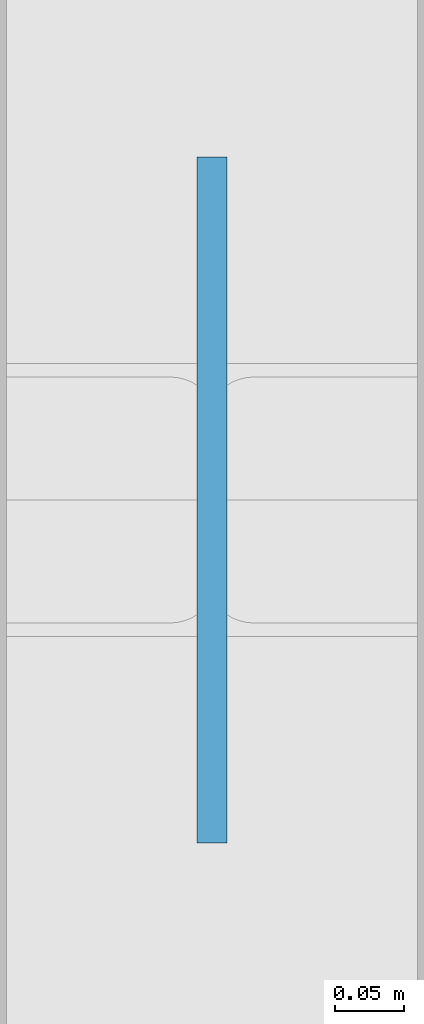
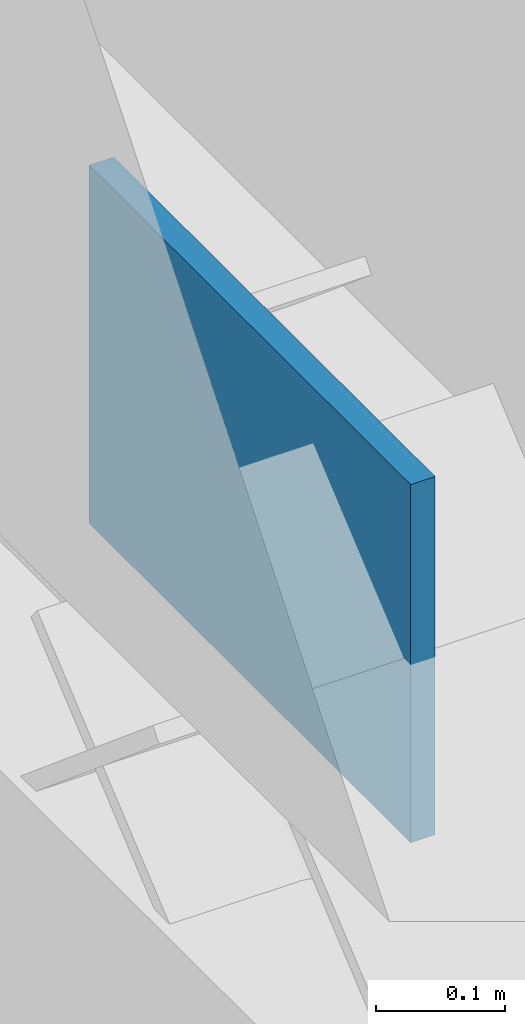
# One storey, part 89 of 124: 1 plate.
"""IFC4 building model written with IfcOpenShell, lengths in metres."""

import ifcopenshell
import ifcopenshell.guid

model = None  # the IFC model being written
_history = None  # IfcOwnerHistory: only IFC2X3 demands one
_inside = {}  # id of a spatial element -> (the spatial element, [elements in it])
_under = {}  # id of a project, library or spatial element -> (it, [spatial elements below it])
_declared = {}  # id of a project -> (the project, [libraries it declares])
_typed = {}  # id of a type object -> (the type object, [elements of that type])
_made_of = {}  # id of a material, layer set ... -> (it, [elements and type objects made of it])


def new_model(schema):
    """Start an empty IFC model of exactly this schema.

    Asked for "IFC4X3", IfcOpenShell would pick the latest addendum, in which some entities
    have other attributes; the version numbers below select the first issue.
    IFC2X3 requires an IfcOwnerHistory on every rooted entity: one is made here for all.
    """
    global model, _history
    if schema == "IFC4X3":
        model = ifcopenshell.file(schema_version=(4, 3, 0, 0))
    else:
        model = ifcopenshell.file(schema=schema)
    _inside.clear()
    _under.clear()
    _declared.clear()
    _typed.clear()
    _made_of.clear()
    _history = None
    if model.schema == "IFC2X3":
        org = make("IfcOrganization", Name="unknown")
        user = make(
            "IfcPersonAndOrganization",
            ThePerson=make("IfcPerson", FamilyName="unknown"),
            TheOrganization=org,
        )
        app = make(
            "IfcApplication",
            ApplicationDeveloper=org,
            Version="unknown",
            ApplicationFullName="unknown",
            ApplicationIdentifier="unknown",
        )
        _history = make(
            "IfcOwnerHistory",
            OwningUser=user,
            OwningApplication=app,
            ChangeAction="ADDED",
            CreationDate=0,
        )
    return model


def make(cls, **values):
    """One entity of the class cls with the attributes given. An attribute that is None is left unset."""
    return model.create_entity(
        cls, **{name: value for name, value in values.items() if value is not None}
    )


def rooted(cls, **values):
    """An entity with a GlobalId (a new one), such as an element, a storey or a relation."""
    return make(cls, GlobalId=ifcopenshell.guid.new(), OwnerHistory=_history, **values)


def si_unit(unit_type, name, prefix=None):
    """IfcSIUnit, for example si_unit("LENGTHUNIT", "METRE", prefix="MILLI")."""
    return make("IfcSIUnit", UnitType=unit_type, Prefix=prefix, Name=name)


def assignment(units):
    """IfcUnitAssignment: the units of a project."""
    return None if units is None else make("IfcUnitAssignment", Units=units)


def point(xyz):
    """IfcCartesianPoint."""
    return None if xyz is None else make("IfcCartesianPoint", Coordinates=xyz)


def direction(xyz):
    """IfcDirection."""
    return None if xyz is None else make("IfcDirection", DirectionRatios=xyz)


def frame(location, z_axis=None, x_axis=None):
    """IfcAxis2Placement3D, a coordinate frame: its origin and axes. An axis left out is left unset."""
    return make(
        "IfcAxis2Placement3D",
        Location=point(location),
        Axis=direction(z_axis),
        RefDirection=direction(x_axis),
    )


def frame_2d(location, x_axis=None):
    """IfcAxis2Placement2D, a coordinate frame in the plane: its origin and x axis."""
    return make(
        "IfcAxis2Placement2D", Location=point(location), RefDirection=direction(x_axis)
    )


def origin():
    """The frame at (0, 0, 0) with its axes left unset."""
    return frame((0.0, 0.0, 0.0))


def origin_2d():
    """The frame at (0, 0) in the plane with its x axis left unset."""
    return frame_2d((0.0, 0.0))


def place(relative_to, where):
    """IfcLocalPlacement: puts the frame where relative to a parent placement (None: the world)."""
    return make(
        "IfcLocalPlacement", PlacementRelTo=relative_to, RelativePlacement=where
    )


def context(
    kind, dimensions, precision=None, world=None, true_north=None, identifier=None
):
    """IfcGeometricRepresentationContext, for example the 3D "Model" context."""
    return make(
        "IfcGeometricRepresentationContext",
        ContextIdentifier=identifier,
        ContextType=kind,
        CoordinateSpaceDimension=dimensions,
        Precision=precision,
        WorldCoordinateSystem=world,
        TrueNorth=true_north,
    )


def subcontext(parent, identifier, kind, view, scale=None):
    """IfcGeometricRepresentationSubContext, for example "Body" below "Model"."""
    return make(
        "IfcGeometricRepresentationSubContext",
        ContextIdentifier=identifier,
        ContextType=kind,
        ParentContext=parent,
        TargetScale=scale,
        TargetView=view,
    )


def project(units=None, contexts=None):
    """IfcProject with its units and contexts."""
    return rooted(
        "IfcProject",
        Name="project",
        RepresentationContexts=contexts,
        UnitsInContext=assignment(units),
    )


def spatial(cls, under=None, at=None, **own):
    """A site, building, storey or space (cls), placed at a placement, below another one or the project."""
    s = rooted(cls, ObjectPlacement=at, **own)
    if under is not None:
        _under.setdefault(under.id(), (under, []))[1].append(s)
    return s


def profile(cls, at=None, kind="AREA", **sizes):
    """A parametric profile (cls). Its sizes go by their IFC names, for example OverallWidth=200.0."""
    return make(cls, ProfileType=kind, Position=at, **sizes)


def rectangle(**sizes):
    """IfcRectangleProfileDef."""
    return profile("IfcRectangleProfileDef", **sizes)


def extrude(swept, where, along, depth):
    """IfcExtrudedAreaSolid: the profile swept, set in the frame where, extruded along a direction by depth."""
    return make(
        "IfcExtrudedAreaSolid",
        SweptArea=swept,
        Position=where,
        ExtrudedDirection=direction(along),
        Depth=depth,
    )


def shape(context_of_items, identifier, shape_type, items):
    """IfcShapeRepresentation: the items that make up one representation, for example the "Body"."""
    return make(
        "IfcShapeRepresentation",
        ContextOfItems=context_of_items,
        RepresentationIdentifier=identifier,
        RepresentationType=shape_type,
        Items=items,
    )


def material(Name=None, Category=None):
    """IfcMaterial."""
    return make("IfcMaterial", Name=Name, Category=Category)


def layer(
    of_material, thickness, ventilated=None, Name=None, Category=None, Priority=None
):
    """IfcMaterialLayer: one layer of a wall or slab, of a material (None: an air gap)."""
    return make(
        "IfcMaterialLayer",
        Material=of_material,
        LayerThickness=thickness,
        IsVentilated=ventilated,
        Name=Name,
        Category=Category,
        Priority=Priority,
    )


def layer_set(layers, Name=None):
    """IfcMaterialLayerSet."""
    return make("IfcMaterialLayerSet", MaterialLayers=layers, LayerSetName=Name)


def made_of(thing, what):
    """Note that an element or type object is made of a material, layer set ...; save() writes the relation."""
    if what is not None:
        _made_of.setdefault(what.id(), (what, []))[1].append(thing)
    return thing


def type_object(cls, material=None, **own):
    """A type object (cls), such as IfcWallType, which elements share."""
    return made_of(rooted(cls, **own), material)


def element(
    cls,
    number,
    at=None,
    inside=None,
    cuts=None,
    type_object=None,
    material=None,
    context=None,
    identifier="Body",
    shape_type=None,
    held_by="IfcProductDefinitionShape",
    body=None,
    shapes=None,
    **own,
):
    """One element of the class cls, such as IfcWall. Its Tag is "e" and its number.

    at: its placement. inside: the storey or other place that contains it. cuts: it is an
    opening in that element (IfcRelVoidsElement). A single representation is given by context,
    identifier, shape_type and body (its items); several are given by shapes. held_by: the class
    of the entity that holds the representations. save() writes the other relations.
    """
    e = rooted(cls, Tag="e%d" % number, ObjectPlacement=at, **own)
    if body is not None:
        shapes = [shape(context, identifier, shape_type, body)]
    if shapes is not None:
        e.Representation = make(held_by, Representations=shapes)
    if inside is not None:
        _inside.setdefault(inside.id(), (inside, []))[1].append(e)
    if cuts is not None:
        rooted(
            "IfcRelVoidsElement", RelatingBuildingElement=cuts, RelatedOpeningElement=e
        )
    if type_object is not None:
        _typed.setdefault(type_object.id(), (type_object, []))[1].append(e)
    return made_of(e, material)


def aggregate(whole, parts):
    """IfcRelAggregates: a whole, such as a stair, and the parts it consists of."""
    return rooted("IfcRelAggregates", RelatingObject=whole, RelatedObjects=parts)


def save(model, path):
    """Write the relations noted so far, then the file.

    IfcRelAggregates (storeys below a building ...), IfcRelContainedInSpatialStructure (elements
    in a storey), IfcRelDefinesByType, IfcRelAssociatesMaterial and IfcRelDeclares: one each for
    every whole, place, type object, material and project.
    """
    for whole, parts in _under.values():
        aggregate(whole, parts)
    for where, things in _inside.values():
        rooted(
            "IfcRelContainedInSpatialStructure",
            RelatedElements=things,
            RelatingStructure=where,
        )
    for kind, things in _typed.values():
        rooted("IfcRelDefinesByType", RelatedObjects=things, RelatingType=kind)
    for what, things in _made_of.values():
        rooted("IfcRelAssociatesMaterial", RelatedObjects=things, RelatingMaterial=what)
    for by, libraries in _declared.values():
        rooted("IfcRelDeclares", RelatingContext=by, RelatedDefinitions=libraries)
    model.write(path)


model = new_model("IFC4")

# Units and contexts
model_context = context("Model", 3, precision=1e-05, world=origin(), true_north=direction((0.0, 1.0)))
body_context = subcontext(model_context, "Body", "Model", "MODEL_VIEW")
ifc_project = project(units=[si_unit("LENGTHUNIT", "METRE"), si_unit("AREAUNIT", "SQUARE_METRE"), si_unit("VOLUMEUNIT", "CUBIC_METRE"), si_unit("PLANEANGLEUNIT", "RADIAN"), si_unit("MASSUNIT", "GRAM", prefix="KILO")], contexts=[model_context])

# Site, building, storey
site_placement = place(None, origin())
site = spatial("IfcSite", under=ifc_project, at=site_placement, CompositionType="ELEMENT")
building_placement = place(site_placement, origin())
building = spatial("IfcBuilding", under=site, at=building_placement, Name="Qasida Concert Hall", CompositionType="ELEMENT")
storey_placement = place(building_placement, frame((0.0, 0.0, 9.0)))
storey = spatial("IfcBuildingStorey", under=building, at=storey_placement, Name="L02", CompositionType="ELEMENT", Elevation=9.0)

# Plate
ifc_material = material(Name="Steel S355J2", Category="steel")
ifc_layer = layer(ifc_material, 0.02197265625, Name="Steel S355J2")
ifc_layer_set = layer_set([ifc_layer], Name="Steel S355J2")
plate_type = type_object("IfcPlateType", Name="PLT-PL-EC5", PredefinedType="SHEET", material=ifc_layer_set)
plate_placement = place(storey_placement, frame((0.0, 101.25, 2.97998046875), z_axis=(0.0, 0.0, 1.0), x_axis=(0.0, 1.0, 0.0)))
element("IfcPlate", 1, at=plate_placement, inside=storey, type_object=plate_type, Name="Chevron apex plate CBF-0101", PredefinedType="SHEET", context=body_context, shape_type="SweptSolid", body=[
    extrude(rectangle(XDim=0.5, YDim=0.02197265625, at=origin_2d()), origin(), (0.0, 0.0, 1.0), 0.340087890625),
])

save(model, "model.ifc")
